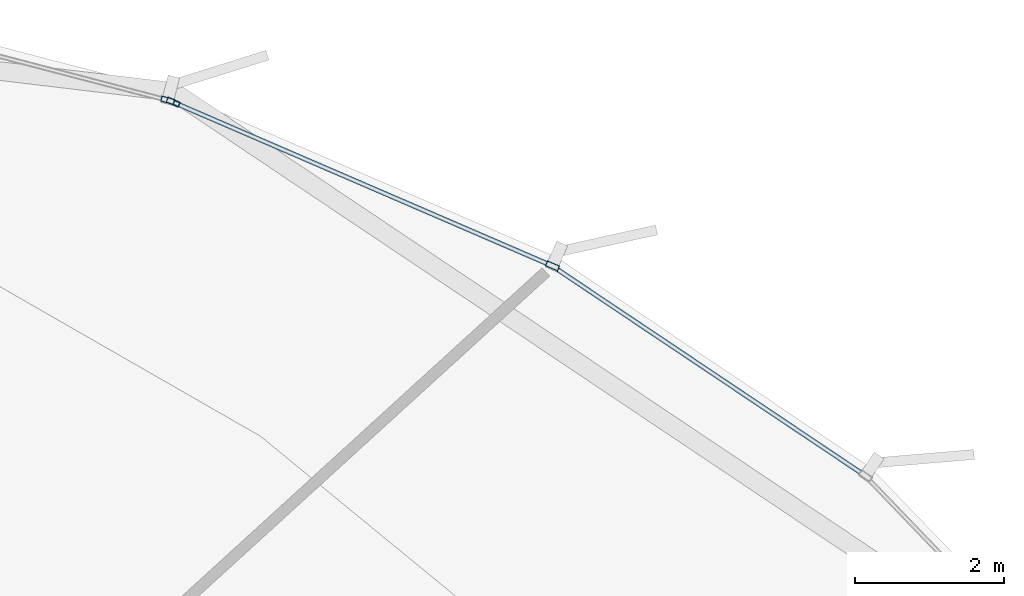
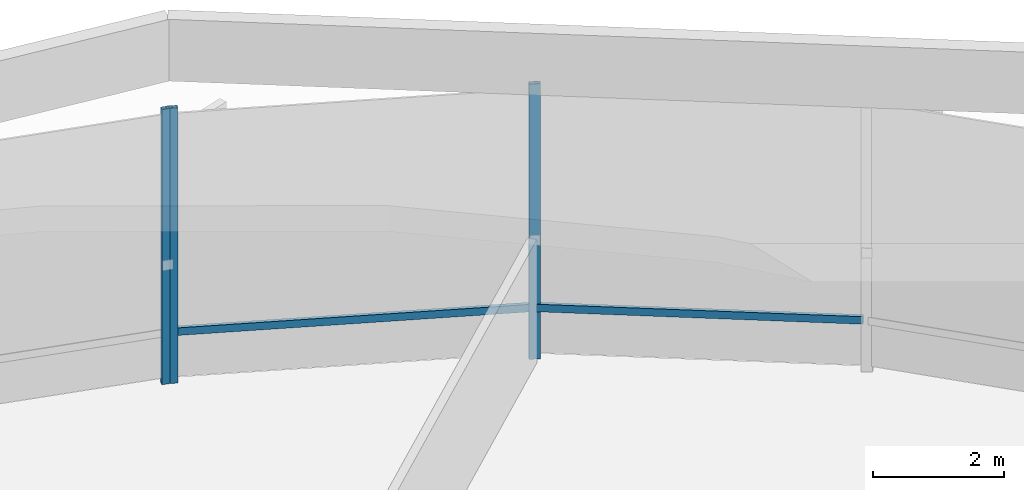
# One storey, part 24 of 36: 5 members, 2 elements without a shape of their own.
"""IFC4 building model written with IfcOpenShell, lengths in metres."""

from ifc_helpers import new_model, si_unit, direction, frame, origin, origin_2d, place, context, subcontext, project, spatial, hollow_rectangle, extrude, source, transform, mapped, material, layer, layer_set, material_profile, profile_set, type_object, element, aggregate, save


model = new_model("IFC4")

# Units and contexts
model_context = context("Model", 3, precision=1e-05, world=origin(), true_north=direction((0.0, 1.0)))
body_context = subcontext(model_context, "Body", "Model", "MODEL_VIEW")
ifc_project = project(units=[si_unit("LENGTHUNIT", "METRE"), si_unit("AREAUNIT", "SQUARE_METRE"), si_unit("VOLUMEUNIT", "CUBIC_METRE"), si_unit("PLANEANGLEUNIT", "RADIAN"), si_unit("MASSUNIT", "GRAM", prefix="KILO"), si_unit("THERMODYNAMICTEMPERATUREUNIT", "KELVIN")], contexts=[model_context])

# Site, building, storey
site_placement = place(None, origin())
site = spatial("IfcSite", under=ifc_project, at=site_placement, CompositionType="ELEMENT")
building_placement = place(site_placement, origin())
building = spatial("IfcBuilding", under=site, at=building_placement, Name="Kethvar Cultural Tower", CompositionType="ELEMENT")
storey_placement = place(building_placement, frame((0.0, 0.0, 24.0)))
storey = spatial("IfcBuildingStorey", under=building, at=storey_placement, Name="L05", CompositionType="ELEMENT", Elevation=24.0)

# Curtain wall, members
ifc_material = material(Name="Aluminium 6063-T6", Category="aluminium")
ifc_layer = layer(ifc_material, 0.179931640625, Name="Aluminium 6063-T6", Category="aluminium")
ifc_layer_set = layer_set([ifc_layer], Name="Aluminium 6063-T6 (180 mm)")
curtain_wall_type = type_object("IfcCurtainWallType", Name="CW-SYS-01-POD", PredefinedType="NOTDEFINED", material=ifc_layer_set)
curtain_wall_1_placement = place(storey_placement, origin())
curtain_wall_1 = element("IfcCurtainWall", 1, at=curtain_wall_1_placement, inside=storey, type_object=curtain_wall_type, Name="L05 Curtain Wall Run 01", PredefinedType="NOTDEFINED")
ifc_material_profile_1 = material_profile(ifc_material, hollow_rectangle(XDim=0.06005859375, YDim=0.139892578125, WallThickness=0.0048828125, at=origin_2d()), Name="Aluminium 6063-T6 — RHS140x60x5")
ifc_profile_set_1 = profile_set([ifc_material_profile_1], Name="Aluminium 6063-T6 — RHS140x60x5")
member_type_1 = type_object("IfcMemberType", Name="CW-SYS-01-POD-TRN", PredefinedType="USERDEFINED", material=ifc_profile_set_1)
shared_shape_1 = source(origin(), body_context, "Body", "SweptSolid", [
    extrude(hollow_rectangle(XDim=0.06005859375, YDim=0.139892578125, WallThickness=0.0048828125, at=origin_2d()), origin(), (0.0, 0.0, 1.0), 4.991455078125),
])
member_1_placement = place(storey_placement, frame((75.44580078125, 47.367919921875, 0.949951171875), z_axis=(-0.830806616573, 0.556561196867, 0.0), x_axis=(-0.556561196867, -0.830806616573, 0.0)))
member_1 = element("IfcMember", 2, at=member_1_placement, type_object=member_type_1, Name="CW-L05-R01 Transom 5", ObjectType="TRANSOM", PredefinedType="USERDEFINED", context=body_context, shape_type="MappedRepresentation", body=[
    mapped(shared_shape_1, transform((0.0, 0.0, 0.0), scale=1.0)),
])
shared_shape_2 = source(origin(), body_context, "Body", "SweptSolid", [
    extrude(hollow_rectangle(XDim=0.06005859375, YDim=0.139892578125, WallThickness=0.0048828125, at=origin_2d()), origin(), (0.0, 0.0, 1.0), 5.504638671875),
])
member_2_placement = place(storey_placement, frame((71.22509765625, 50.18603515625, 0.949951171875), z_axis=(-0.918072625283, 0.39641222825, 0.0), x_axis=(-0.39641222825, -0.918072625283, 0.0)))
member_2 = element("IfcMember", 3, at=member_2_placement, type_object=member_type_1, Name="CW-L05-R01 Transom 6", ObjectType="TRANSOM", PredefinedType="USERDEFINED", context=body_context, shape_type="MappedRepresentation", body=[
    mapped(shared_shape_2, transform((0.0, 0.0, 0.0), scale=1.0)),
])
ifc_material_profile_2 = material_profile(ifc_material, hollow_rectangle(XDim=0.074951171875, YDim=0.179931640625, WallThickness=0.006103515625, at=origin_2d()), Name="Aluminium 6063-T6 — RHS180x75x6")
ifc_profile_set_2 = profile_set([ifc_material_profile_2], Name="Aluminium 6063-T6 — RHS180x75x6")
member_type_2 = type_object("IfcMemberType", Name="CW-SYS-01-POD-MUL", PredefinedType="MULLION", material=ifc_profile_set_2)
shared_shape_3 = source(origin(), body_context, "Body", "SweptSolid", [
    extrude(hollow_rectangle(XDim=0.074951171875, YDim=0.179931640625, WallThickness=0.006103515625, at=origin_2d()), origin(), (0.0, 0.0, 1.0), 5.1201171875),
])
member_3_placement = place(storey_placement, frame((71.27490234375, 50.164794921875, 0.0), z_axis=(0.0, 0.0, 1.0), x_axis=(-0.396410942082, -0.918073180633, 0.0)))
member_3 = element("IfcMember", 4, at=member_3_placement, type_object=member_type_2, Name="CW-L05-R01 Mullion 6", PredefinedType="MULLION", context=body_context, shape_type="MappedRepresentation", body=[
    mapped(shared_shape_3, transform((0.0, 0.0, 0.0), scale=1.0)),
])
member_4_placement = place(storey_placement, frame((66.16650390625, 52.370361328125, 0.0), z_axis=(0.0, 0.0, 1.0), x_axis=(-0.396410942082, -0.918073180633, 0.0)))
member_4 = element("IfcMember", 5, at=member_4_placement, type_object=member_type_2, Name="CW-L05-R01 Mullion 7", PredefinedType="MULLION", context=body_context, shape_type="MappedRepresentation", body=[
    mapped(shared_shape_3, transform((0.0, 0.0, 0.0), scale=1.0)),
])
aggregate(curtain_wall_1, [member_3, member_4, member_1, member_2])

# Curtain wall, member
curtain_wall_2_placement = place(storey_placement, origin())
curtain_wall_2 = element("IfcCurtainWall", 6, at=curtain_wall_2_placement, inside=storey, type_object=curtain_wall_type, Name="L05 Curtain Wall Run 02", PredefinedType="NOTDEFINED")
member_5_placement = place(storey_placement, frame((66.09326171875, 52.3955078125, 0.0), z_axis=(0.0, 0.0, 1.0), x_axis=(-0.253031946887, -0.967457923558, 0.0)))
member_5 = element("IfcMember", 7, at=member_5_placement, type_object=member_type_2, Name="CW-L05-R02 Mullion 1", PredefinedType="MULLION", context=body_context, shape_type="MappedRepresentation", body=[
    mapped(shared_shape_3, transform((0.0, 0.0, 0.0), scale=1.0)),
])
aggregate(curtain_wall_2, [member_5])

save(model, "model.ifc")
